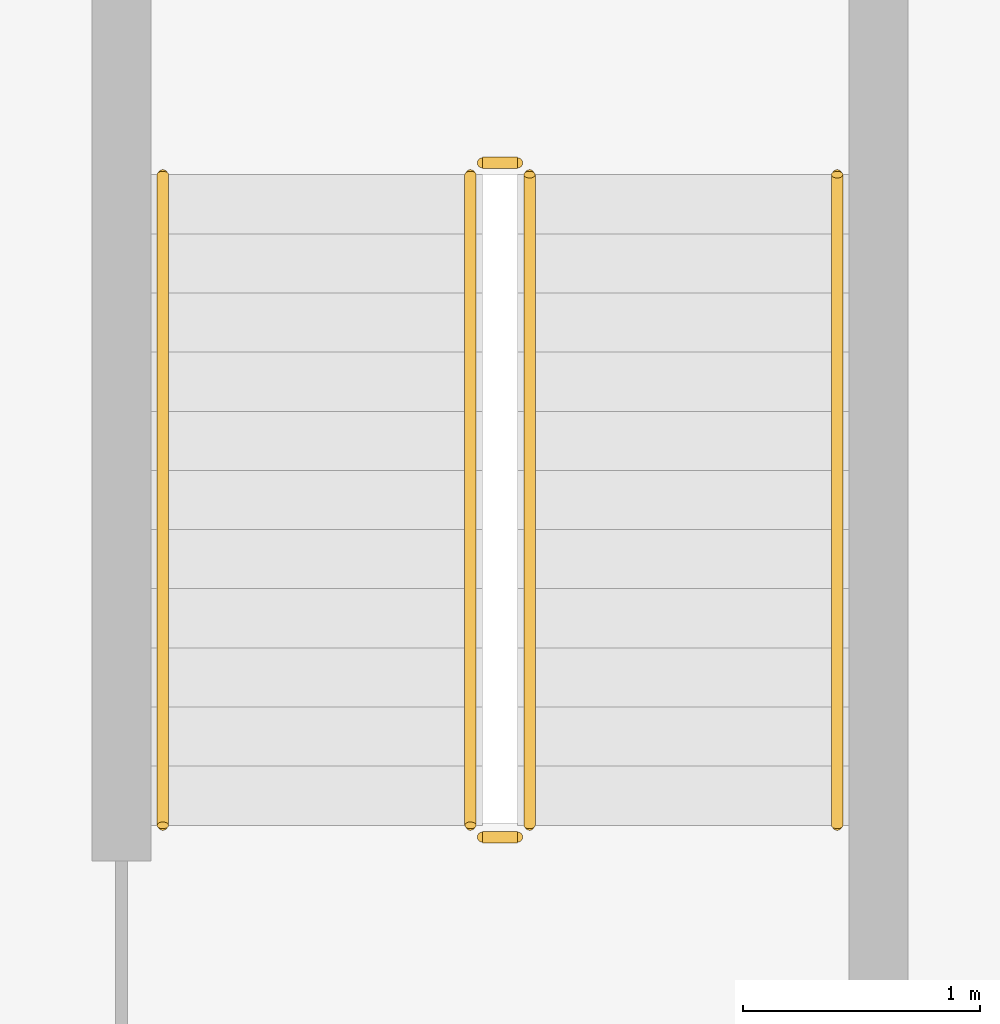
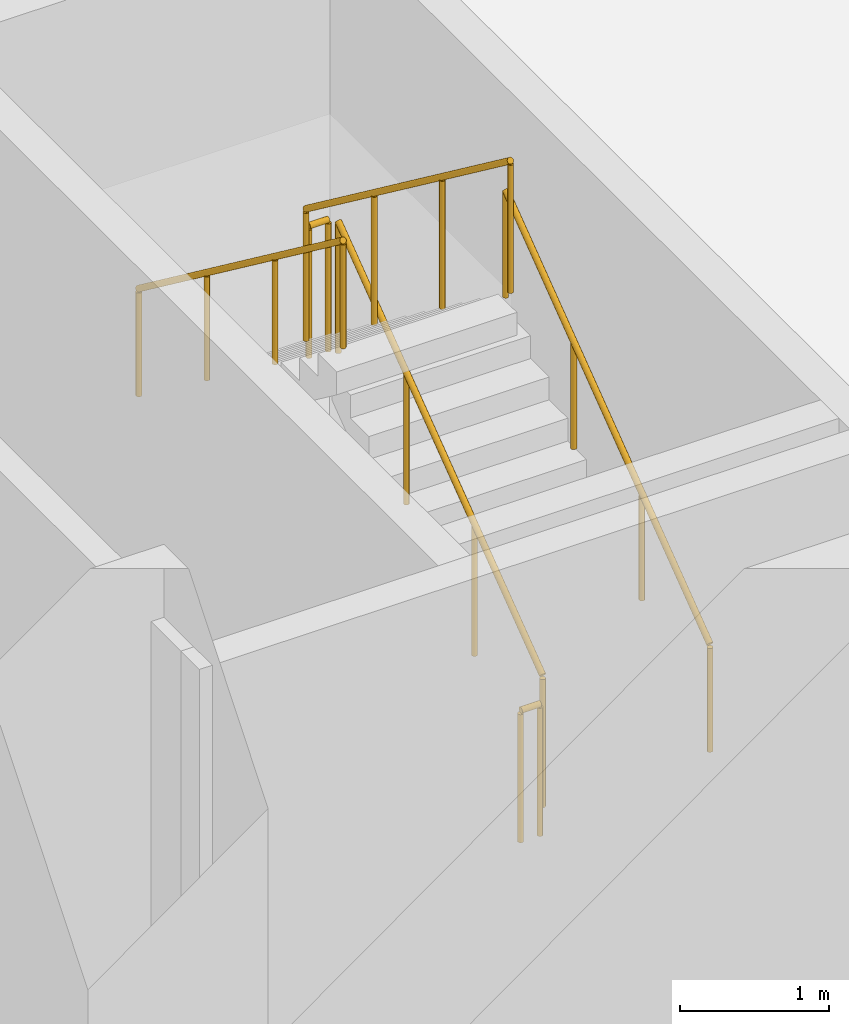
# One storey, part 10 of 12: 6 railings.
"""IFC4 building model written with IfcOpenShell, lengths in metres."""

import ifcopenshell
import ifcopenshell.guid

model = None  # the IFC model being written
_history = None  # IfcOwnerHistory: only IFC2X3 demands one
_inside = {}  # id of a spatial element -> (the spatial element, [elements in it])
_under = {}  # id of a project, library or spatial element -> (it, [spatial elements below it])
_declared = {}  # id of a project -> (the project, [libraries it declares])
_typed = {}  # id of a type object -> (the type object, [elements of that type])
_made_of = {}  # id of a material, layer set ... -> (it, [elements and type objects made of it])


def new_model(schema):
    """Start an empty IFC model of exactly this schema.

    Asked for "IFC4X3", IfcOpenShell would pick the latest addendum, in which some entities
    have other attributes; the version numbers below select the first issue.
    IFC2X3 requires an IfcOwnerHistory on every rooted entity: one is made here for all.
    """
    global model, _history
    if schema == "IFC4X3":
        model = ifcopenshell.file(schema_version=(4, 3, 0, 0))
    else:
        model = ifcopenshell.file(schema=schema)
    _inside.clear()
    _under.clear()
    _declared.clear()
    _typed.clear()
    _made_of.clear()
    _history = None
    if model.schema == "IFC2X3":
        org = make("IfcOrganization", Name="unknown")
        user = make(
            "IfcPersonAndOrganization",
            ThePerson=make("IfcPerson", FamilyName="unknown"),
            TheOrganization=org,
        )
        app = make(
            "IfcApplication",
            ApplicationDeveloper=org,
            Version="unknown",
            ApplicationFullName="unknown",
            ApplicationIdentifier="unknown",
        )
        _history = make(
            "IfcOwnerHistory",
            OwningUser=user,
            OwningApplication=app,
            ChangeAction="ADDED",
            CreationDate=0,
        )
    return model


def make(cls, **values):
    """One entity of the class cls with the attributes given. An attribute that is None is left unset."""
    return model.create_entity(
        cls, **{name: value for name, value in values.items() if value is not None}
    )


def rooted(cls, **values):
    """An entity with a GlobalId (a new one), such as an element, a storey or a relation."""
    return make(cls, GlobalId=ifcopenshell.guid.new(), OwnerHistory=_history, **values)


def si_unit(unit_type, name, prefix=None):
    """IfcSIUnit, for example si_unit("LENGTHUNIT", "METRE", prefix="MILLI")."""
    return make("IfcSIUnit", UnitType=unit_type, Prefix=prefix, Name=name)


def assignment(units):
    """IfcUnitAssignment: the units of a project."""
    return None if units is None else make("IfcUnitAssignment", Units=units)


def point(xyz):
    """IfcCartesianPoint."""
    return None if xyz is None else make("IfcCartesianPoint", Coordinates=xyz)


def direction(xyz):
    """IfcDirection."""
    return None if xyz is None else make("IfcDirection", DirectionRatios=xyz)


def frame(location, z_axis=None, x_axis=None):
    """IfcAxis2Placement3D, a coordinate frame: its origin and axes. An axis left out is left unset."""
    return make(
        "IfcAxis2Placement3D",
        Location=point(location),
        Axis=direction(z_axis),
        RefDirection=direction(x_axis),
    )


def frame_2d(location, x_axis=None):
    """IfcAxis2Placement2D, a coordinate frame in the plane: its origin and x axis."""
    return make(
        "IfcAxis2Placement2D", Location=point(location), RefDirection=direction(x_axis)
    )


def origin():
    """The frame at (0, 0, 0) with its axes left unset."""
    return frame((0.0, 0.0, 0.0))


def origin_2d():
    """The frame at (0, 0) in the plane with its x axis left unset."""
    return frame_2d((0.0, 0.0))


def place(relative_to, where):
    """IfcLocalPlacement: puts the frame where relative to a parent placement (None: the world)."""
    return make(
        "IfcLocalPlacement", PlacementRelTo=relative_to, RelativePlacement=where
    )


def context(
    kind, dimensions, precision=None, world=None, true_north=None, identifier=None
):
    """IfcGeometricRepresentationContext, for example the 3D "Model" context."""
    return make(
        "IfcGeometricRepresentationContext",
        ContextIdentifier=identifier,
        ContextType=kind,
        CoordinateSpaceDimension=dimensions,
        Precision=precision,
        WorldCoordinateSystem=world,
        TrueNorth=true_north,
    )


def subcontext(parent, identifier, kind, view, scale=None):
    """IfcGeometricRepresentationSubContext, for example "Body" below "Model"."""
    return make(
        "IfcGeometricRepresentationSubContext",
        ContextIdentifier=identifier,
        ContextType=kind,
        ParentContext=parent,
        TargetScale=scale,
        TargetView=view,
    )


def project(units=None, contexts=None):
    """IfcProject with its units and contexts."""
    return rooted(
        "IfcProject",
        Name="project",
        RepresentationContexts=contexts,
        UnitsInContext=assignment(units),
    )


def spatial(cls, under=None, at=None, **own):
    """A site, building, storey or space (cls), placed at a placement, below another one or the project."""
    s = rooted(cls, ObjectPlacement=at, **own)
    if under is not None:
        _under.setdefault(under.id(), (under, []))[1].append(s)
    return s


def profile(cls, at=None, kind="AREA", **sizes):
    """A parametric profile (cls). Its sizes go by their IFC names, for example OverallWidth=200.0."""
    return make(cls, ProfileType=kind, Position=at, **sizes)


def circle(**sizes):
    """IfcCircleProfileDef."""
    return profile("IfcCircleProfileDef", **sizes)


def extrude(swept, where, along, depth):
    """IfcExtrudedAreaSolid: the profile swept, set in the frame where, extruded along a direction by depth."""
    return make(
        "IfcExtrudedAreaSolid",
        SweptArea=swept,
        Position=where,
        ExtrudedDirection=direction(along),
        Depth=depth,
    )


def shape(context_of_items, identifier, shape_type, items):
    """IfcShapeRepresentation: the items that make up one representation, for example the "Body"."""
    return make(
        "IfcShapeRepresentation",
        ContextOfItems=context_of_items,
        RepresentationIdentifier=identifier,
        RepresentationType=shape_type,
        Items=items,
    )


def source(mapping_origin, context_of_items, identifier, shape_type, items):
    """IfcRepresentationMap: a shape defined once, which mapped items show again and again."""
    return make(
        "IfcRepresentationMap",
        MappingOrigin=mapping_origin,
        MappedRepresentation=shape(context_of_items, identifier, shape_type, items),
    )


def transform(
    local_origin,
    x_axis=None,
    y_axis=None,
    z_axis=None,
    scale=None,
    scale2=None,
    scale3=None,
    uniform=True,
):
    """IfcCartesianTransformationOperator3D, or its non-uniform kind. x_axis, y_axis, z_axis: its Axis1, 2, 3."""
    if uniform:
        return make(
            "IfcCartesianTransformationOperator3D",
            Axis1=direction(x_axis),
            Axis2=direction(y_axis),
            LocalOrigin=point(local_origin),
            Scale=scale,
            Axis3=direction(z_axis),
        )
    return make(
        "IfcCartesianTransformationOperator3DnonUniform",
        Axis1=direction(x_axis),
        Axis2=direction(y_axis),
        LocalOrigin=point(local_origin),
        Scale=scale,
        Axis3=direction(z_axis),
        Scale2=scale2,
        Scale3=scale3,
    )


def mapped(mapping_source, mapping_target):
    """IfcMappedItem: shows the shape of a source again, moved by a transform."""
    return make(
        "IfcMappedItem", MappingSource=mapping_source, MappingTarget=mapping_target
    )


def material(Name=None, Category=None):
    """IfcMaterial."""
    return make("IfcMaterial", Name=Name, Category=Category)


def made_of(thing, what):
    """Note that an element or type object is made of a material, layer set ...; save() writes the relation."""
    if what is not None:
        _made_of.setdefault(what.id(), (what, []))[1].append(thing)
    return thing


def type_object(cls, material=None, **own):
    """A type object (cls), such as IfcWallType, which elements share."""
    return made_of(rooted(cls, **own), material)


def element(
    cls,
    number,
    at=None,
    inside=None,
    cuts=None,
    type_object=None,
    material=None,
    context=None,
    identifier="Body",
    shape_type=None,
    held_by="IfcProductDefinitionShape",
    body=None,
    shapes=None,
    **own,
):
    """One element of the class cls, such as IfcWall. Its Tag is "e" and its number.

    at: its placement. inside: the storey or other place that contains it. cuts: it is an
    opening in that element (IfcRelVoidsElement). A single representation is given by context,
    identifier, shape_type and body (its items); several are given by shapes. held_by: the class
    of the entity that holds the representations. save() writes the other relations.
    """
    e = rooted(cls, Tag="e%d" % number, ObjectPlacement=at, **own)
    if body is not None:
        shapes = [shape(context, identifier, shape_type, body)]
    if shapes is not None:
        e.Representation = make(held_by, Representations=shapes)
    if inside is not None:
        _inside.setdefault(inside.id(), (inside, []))[1].append(e)
    if cuts is not None:
        rooted(
            "IfcRelVoidsElement", RelatingBuildingElement=cuts, RelatedOpeningElement=e
        )
    if type_object is not None:
        _typed.setdefault(type_object.id(), (type_object, []))[1].append(e)
    return made_of(e, material)


def aggregate(whole, parts):
    """IfcRelAggregates: a whole, such as a stair, and the parts it consists of."""
    return rooted("IfcRelAggregates", RelatingObject=whole, RelatedObjects=parts)


def save(model, path):
    """Write the relations noted so far, then the file.

    IfcRelAggregates (storeys below a building ...), IfcRelContainedInSpatialStructure (elements
    in a storey), IfcRelDefinesByType, IfcRelAssociatesMaterial and IfcRelDeclares: one each for
    every whole, place, type object, material and project.
    """
    for whole, parts in _under.values():
        aggregate(whole, parts)
    for where, things in _inside.values():
        rooted(
            "IfcRelContainedInSpatialStructure",
            RelatedElements=things,
            RelatingStructure=where,
        )
    for kind, things in _typed.values():
        rooted("IfcRelDefinesByType", RelatedObjects=things, RelatingType=kind)
    for what, things in _made_of.values():
        rooted("IfcRelAssociatesMaterial", RelatedObjects=things, RelatingMaterial=what)
    for by, libraries in _declared.values():
        rooted("IfcRelDeclares", RelatingContext=by, RelatedDefinitions=libraries)
    model.write(path)


model = new_model("IFC4")

# Units and contexts
model_context = context("Model", 3, precision=1e-05, world=origin(), true_north=direction((0.0, 1.0)))
body_context = subcontext(model_context, "Body", "Model", "MODEL_VIEW")
ifc_project = project(units=[si_unit("LENGTHUNIT", "METRE"), si_unit("AREAUNIT", "SQUARE_METRE"), si_unit("VOLUMEUNIT", "CUBIC_METRE"), si_unit("PLANEANGLEUNIT", "RADIAN"), si_unit("MASSUNIT", "GRAM", prefix="KILO")], contexts=[model_context])

# Site, building, storey
site_placement = place(None, origin())
site = spatial("IfcSite", under=ifc_project, at=site_placement, CompositionType="ELEMENT")
building_placement = place(site_placement, origin())
building = spatial("IfcBuilding", under=site, at=building_placement, Name="Aurelian Terraces", CompositionType="ELEMENT")
storey_placement = place(building_placement, frame((0.0, 0.0, -9.0)))
storey = spatial("IfcBuildingStorey", under=building, at=storey_placement, Name="B2", CompositionType="ELEMENT", Elevation=-9.0)

# Railings
ifc_material = material(Name="Stainless steel", Category="steel")
railing_type_1 = type_object("IfcRailingType", Name="Stair guard 1100", PredefinedType="GUARDRAIL", material=ifc_material)
shared_shape_1 = source(origin(), body_context, "Body", "SweptSolid", [
    extrude(circle(Radius=0.024, at=origin_2d()), frame((0.0, 0.0, 1.076), z_axis=(-1.0, 0.0, 0.0), x_axis=(0.0, -1.0, 0.0)), (0.0, 0.0, 1.0), 0.15),
    extrude(circle(Radius=0.021, at=origin_2d()), origin(), (0.0, 0.0, 1.0), 1.052),
    extrude(circle(Radius=0.021, at=origin_2d()), frame((-0.15, 0.0, 0.0)), (0.0, 0.0, 1.0), 1.052),
])
for number, where, name in (
    (1, (42.2, 4.9, 2.25), "B2 S2 stair guard 2"),
    (2, (42.2, 2.05, 0.0), "B2 S2 stair guard 4"),
):
    element("IfcRailing", number, at=place(storey_placement, frame(where)), inside=storey, type_object=railing_type_1, Name=name, PredefinedType="GUARDRAIL", context=body_context, shape_type="MappedRepresentation", body=[
        mapped(shared_shape_1, transform((0.0, 0.0, 0.0), scale=1.0)),
    ])
shared_shape_2 = source(origin(), body_context, "Body", "SweptSolid", [
    extrude(circle(Radius=0.024, at=origin_2d()), frame((0.0, 0.0, 1.076), z_axis=(0.0, 0.8, 0.6), x_axis=(-1.0, 0.0, 0.0)), (0.0, 0.0, 1.0), 3.4375),
    extrude(circle(Radius=0.021, at=origin_2d()), origin(), (0.0, 0.0, 1.0), 1.052),
    extrude(circle(Radius=0.021, at=origin_2d()), frame((0.0, 0.9167, 0.6875)), (0.0, 0.0, 1.0), 1.052),
    extrude(circle(Radius=0.021, at=origin_2d()), frame((0.0, 1.8333, 1.375)), (0.0, 0.0, 1.0), 1.052),
    extrude(circle(Radius=0.021, at=origin_2d()), frame((0.0, 2.75, 2.0625)), (0.0, 0.0, 1.0), 1.052),
])
railing_1_placement = place(storey_placement, frame((42.25, 2.1, 0.1875)))
element("IfcRailing", 3, at=railing_1_placement, inside=storey, type_object=railing_type_1, Name="B2 S2 stair guard 1", PredefinedType="GUARDRAIL", context=body_context, shape_type="MappedRepresentation", body=[
    mapped(shared_shape_2, transform((0.0, 0.0, 0.0), scale=1.0)),
])
shared_shape_3 = source(origin(), body_context, "Body", "SweptSolid", [
    extrude(circle(Radius=0.024, at=origin_2d()), frame((0.0, 0.0, 1.076), z_axis=(0.0, -0.8, 0.6), x_axis=(1.0, 0.0, 0.0)), (0.0, 0.0, 1.0), 3.4375),
    extrude(circle(Radius=0.021, at=origin_2d()), origin(), (0.0, 0.0, 1.0), 1.052),
    extrude(circle(Radius=0.021, at=origin_2d()), frame((0.0, -0.9167, 0.6875)), (0.0, 0.0, 1.0), 1.052),
    extrude(circle(Radius=0.021, at=origin_2d()), frame((0.0, -1.8333, 1.375)), (0.0, 0.0, 1.0), 1.052),
    extrude(circle(Radius=0.021, at=origin_2d()), frame((0.0, -2.75, 2.0625)), (0.0, 0.0, 1.0), 1.052),
])
railing_2_placement = place(storey_placement, frame((42.0, 4.85, 2.4375)))
element("IfcRailing", 4, at=railing_2_placement, inside=storey, type_object=railing_type_1, Name="B2 S2 stair guard 3", PredefinedType="GUARDRAIL", context=body_context, shape_type="MappedRepresentation", body=[
    mapped(shared_shape_3, transform((0.0, 0.0, 0.0), scale=1.0)),
])
railing_type_2 = type_object("IfcRailingType", Name="Stair handrail", PredefinedType="HANDRAIL", material=ifc_material)
shared_shape_4 = source(origin(), body_context, "Body", "SweptSolid", [
    extrude(circle(Radius=0.024, at=origin_2d()), frame((0.0, 0.0, 0.876), z_axis=(0.0, 0.8, 0.6), x_axis=(-1.0, 0.0, 0.0)), (0.0, 0.0, 1.0), 3.4375),
    extrude(circle(Radius=0.021, at=origin_2d()), origin(), (0.0, 0.0, 1.0), 0.852),
    extrude(circle(Radius=0.021, at=origin_2d()), frame((0.0, 0.9167, 0.6875)), (0.0, 0.0, 1.0), 0.852),
    extrude(circle(Radius=0.021, at=origin_2d()), frame((0.0, 1.8333, 1.375)), (0.0, 0.0, 1.0), 0.852),
    extrude(circle(Radius=0.021, at=origin_2d()), frame((0.0, 2.75, 2.0625)), (0.0, 0.0, 1.0), 0.852),
])
railing_3_placement = place(storey_placement, frame((43.55, 2.1, 0.1875)))
element("IfcRailing", 5, at=railing_3_placement, inside=storey, type_object=railing_type_2, Name="B2 S2 stair handrail 1", PredefinedType="HANDRAIL", context=body_context, shape_type="MappedRepresentation", body=[
    mapped(shared_shape_4, transform((0.0, 0.0, 0.0), scale=1.0)),
])
shared_shape_5 = source(origin(), body_context, "Body", "SweptSolid", [
    extrude(circle(Radius=0.024, at=origin_2d()), frame((0.0, 0.0, 0.876), z_axis=(0.0, -0.8, 0.6), x_axis=(1.0, 0.0, 0.0)), (0.0, 0.0, 1.0), 3.4375),
    extrude(circle(Radius=0.021, at=origin_2d()), origin(), (0.0, 0.0, 1.0), 0.852),
    extrude(circle(Radius=0.021, at=origin_2d()), frame((0.0, -0.9167, 0.6875)), (0.0, 0.0, 1.0), 0.852),
    extrude(circle(Radius=0.021, at=origin_2d()), frame((0.0, -1.8333, 1.375)), (0.0, 0.0, 1.0), 0.852),
    extrude(circle(Radius=0.021, at=origin_2d()), frame((0.0, -2.75, 2.0625)), (0.0, 0.0, 1.0), 0.852),
])
railing_4_placement = place(storey_placement, frame((40.7, 4.85, 2.4375)))
element("IfcRailing", 6, at=railing_4_placement, inside=storey, type_object=railing_type_2, Name="B2 S2 stair handrail 2", PredefinedType="HANDRAIL", context=body_context, shape_type="MappedRepresentation", body=[
    mapped(shared_shape_5, transform((0.0, 0.0, 0.0), scale=1.0)),
])

save(model, "model.ifc")
